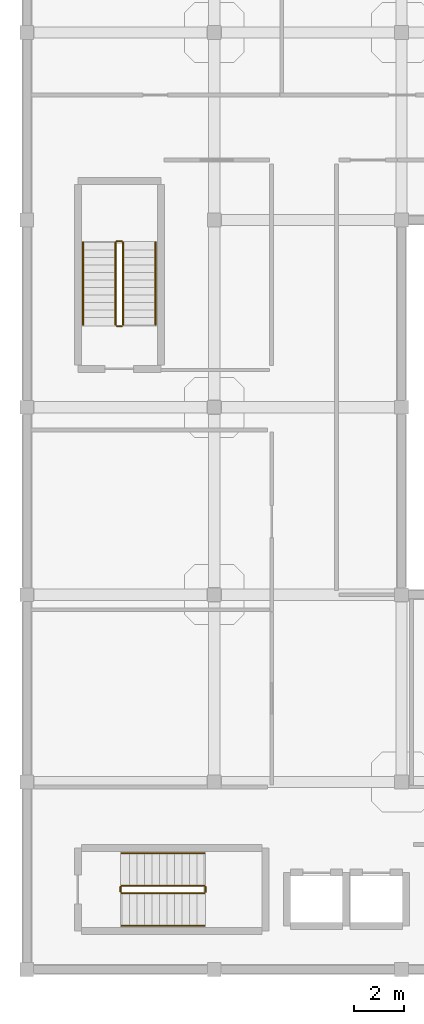
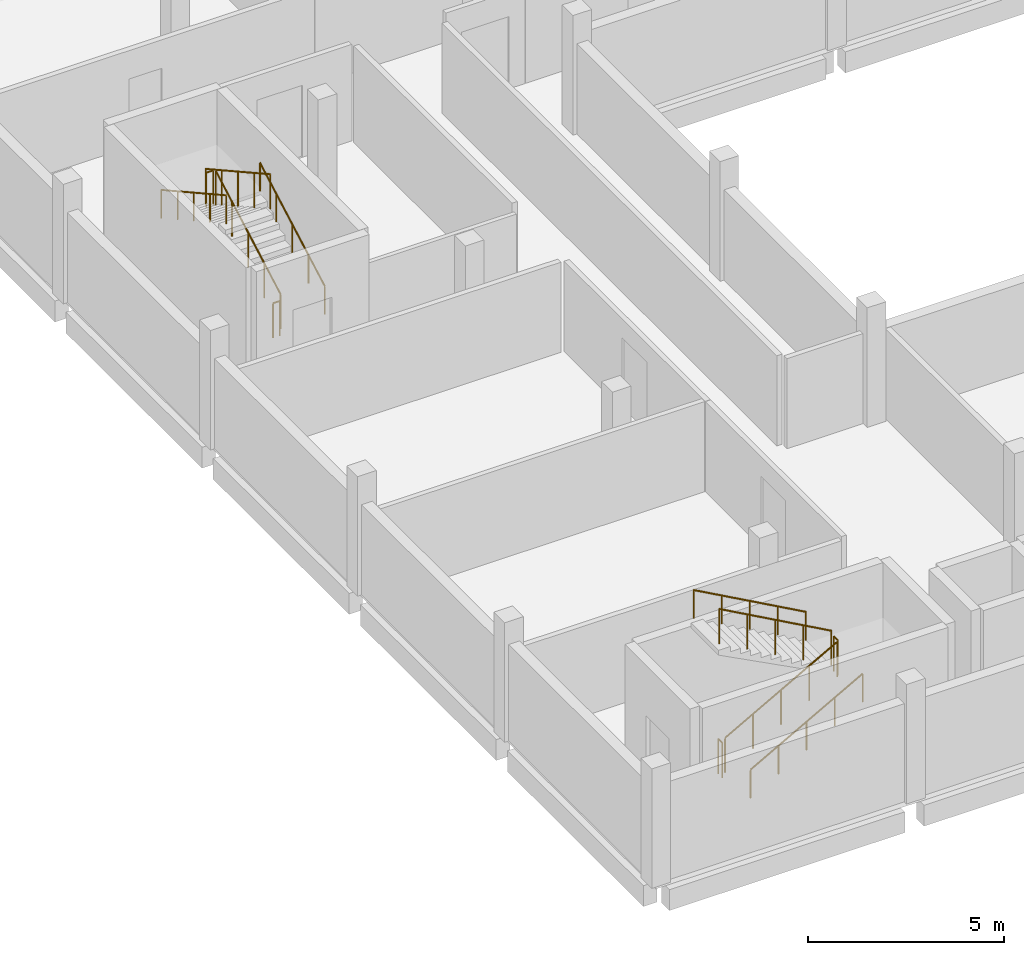
# One storey, part 12 of 14: 12 railings.
"""IFC4 building model written with IfcOpenShell, lengths in metres."""

import ifcopenshell
import ifcopenshell.guid

model = None  # the IFC model being written
_history = None  # IfcOwnerHistory: only IFC2X3 demands one
_inside = {}  # id of a spatial element -> (the spatial element, [elements in it])
_under = {}  # id of a project, library or spatial element -> (it, [spatial elements below it])
_declared = {}  # id of a project -> (the project, [libraries it declares])
_typed = {}  # id of a type object -> (the type object, [elements of that type])
_made_of = {}  # id of a material, layer set ... -> (it, [elements and type objects made of it])


def new_model(schema):
    """Start an empty IFC model of exactly this schema.

    Asked for "IFC4X3", IfcOpenShell would pick the latest addendum, in which some entities
    have other attributes; the version numbers below select the first issue.
    IFC2X3 requires an IfcOwnerHistory on every rooted entity: one is made here for all.
    """
    global model, _history
    if schema == "IFC4X3":
        model = ifcopenshell.file(schema_version=(4, 3, 0, 0))
    else:
        model = ifcopenshell.file(schema=schema)
    _inside.clear()
    _under.clear()
    _declared.clear()
    _typed.clear()
    _made_of.clear()
    _history = None
    if model.schema == "IFC2X3":
        org = make("IfcOrganization", Name="unknown")
        user = make(
            "IfcPersonAndOrganization",
            ThePerson=make("IfcPerson", FamilyName="unknown"),
            TheOrganization=org,
        )
        app = make(
            "IfcApplication",
            ApplicationDeveloper=org,
            Version="unknown",
            ApplicationFullName="unknown",
            ApplicationIdentifier="unknown",
        )
        _history = make(
            "IfcOwnerHistory",
            OwningUser=user,
            OwningApplication=app,
            ChangeAction="ADDED",
            CreationDate=0,
        )
    return model


def make(cls, **values):
    """One entity of the class cls with the attributes given. An attribute that is None is left unset."""
    return model.create_entity(
        cls, **{name: value for name, value in values.items() if value is not None}
    )


def rooted(cls, **values):
    """An entity with a GlobalId (a new one), such as an element, a storey or a relation."""
    return make(cls, GlobalId=ifcopenshell.guid.new(), OwnerHistory=_history, **values)


def si_unit(unit_type, name, prefix=None):
    """IfcSIUnit, for example si_unit("LENGTHUNIT", "METRE", prefix="MILLI")."""
    return make("IfcSIUnit", UnitType=unit_type, Prefix=prefix, Name=name)


def assignment(units):
    """IfcUnitAssignment: the units of a project."""
    return None if units is None else make("IfcUnitAssignment", Units=units)


def point(xyz):
    """IfcCartesianPoint."""
    return None if xyz is None else make("IfcCartesianPoint", Coordinates=xyz)


def direction(xyz):
    """IfcDirection."""
    return None if xyz is None else make("IfcDirection", DirectionRatios=xyz)


def frame(location, z_axis=None, x_axis=None):
    """IfcAxis2Placement3D, a coordinate frame: its origin and axes. An axis left out is left unset."""
    return make(
        "IfcAxis2Placement3D",
        Location=point(location),
        Axis=direction(z_axis),
        RefDirection=direction(x_axis),
    )


def frame_2d(location, x_axis=None):
    """IfcAxis2Placement2D, a coordinate frame in the plane: its origin and x axis."""
    return make(
        "IfcAxis2Placement2D", Location=point(location), RefDirection=direction(x_axis)
    )


def origin():
    """The frame at (0, 0, 0) with its axes left unset."""
    return frame((0.0, 0.0, 0.0))


def origin_2d():
    """The frame at (0, 0) in the plane with its x axis left unset."""
    return frame_2d((0.0, 0.0))


def place(relative_to, where):
    """IfcLocalPlacement: puts the frame where relative to a parent placement (None: the world)."""
    return make(
        "IfcLocalPlacement", PlacementRelTo=relative_to, RelativePlacement=where
    )


def context(
    kind, dimensions, precision=None, world=None, true_north=None, identifier=None
):
    """IfcGeometricRepresentationContext, for example the 3D "Model" context."""
    return make(
        "IfcGeometricRepresentationContext",
        ContextIdentifier=identifier,
        ContextType=kind,
        CoordinateSpaceDimension=dimensions,
        Precision=precision,
        WorldCoordinateSystem=world,
        TrueNorth=true_north,
    )


def subcontext(parent, identifier, kind, view, scale=None):
    """IfcGeometricRepresentationSubContext, for example "Body" below "Model"."""
    return make(
        "IfcGeometricRepresentationSubContext",
        ContextIdentifier=identifier,
        ContextType=kind,
        ParentContext=parent,
        TargetScale=scale,
        TargetView=view,
    )


def project(units=None, contexts=None):
    """IfcProject with its units and contexts."""
    return rooted(
        "IfcProject",
        Name="project",
        RepresentationContexts=contexts,
        UnitsInContext=assignment(units),
    )


def spatial(cls, under=None, at=None, **own):
    """A site, building, storey or space (cls), placed at a placement, below another one or the project."""
    s = rooted(cls, ObjectPlacement=at, **own)
    if under is not None:
        _under.setdefault(under.id(), (under, []))[1].append(s)
    return s


def profile(cls, at=None, kind="AREA", **sizes):
    """A parametric profile (cls). Its sizes go by their IFC names, for example OverallWidth=200.0."""
    return make(cls, ProfileType=kind, Position=at, **sizes)


def circle(**sizes):
    """IfcCircleProfileDef."""
    return profile("IfcCircleProfileDef", **sizes)


def extrude(swept, where, along, depth):
    """IfcExtrudedAreaSolid: the profile swept, set in the frame where, extruded along a direction by depth."""
    return make(
        "IfcExtrudedAreaSolid",
        SweptArea=swept,
        Position=where,
        ExtrudedDirection=direction(along),
        Depth=depth,
    )


def shape(context_of_items, identifier, shape_type, items):
    """IfcShapeRepresentation: the items that make up one representation, for example the "Body"."""
    return make(
        "IfcShapeRepresentation",
        ContextOfItems=context_of_items,
        RepresentationIdentifier=identifier,
        RepresentationType=shape_type,
        Items=items,
    )


def material(Name=None, Category=None):
    """IfcMaterial."""
    return make("IfcMaterial", Name=Name, Category=Category)


def made_of(thing, what):
    """Note that an element or type object is made of a material, layer set ...; save() writes the relation."""
    if what is not None:
        _made_of.setdefault(what.id(), (what, []))[1].append(thing)
    return thing


def type_object(cls, material=None, **own):
    """A type object (cls), such as IfcWallType, which elements share."""
    return made_of(rooted(cls, **own), material)


def element(
    cls,
    number,
    at=None,
    inside=None,
    cuts=None,
    type_object=None,
    material=None,
    context=None,
    identifier="Body",
    shape_type=None,
    held_by="IfcProductDefinitionShape",
    body=None,
    shapes=None,
    **own,
):
    """One element of the class cls, such as IfcWall. Its Tag is "e" and its number.

    at: its placement. inside: the storey or other place that contains it. cuts: it is an
    opening in that element (IfcRelVoidsElement). A single representation is given by context,
    identifier, shape_type and body (its items); several are given by shapes. held_by: the class
    of the entity that holds the representations. save() writes the other relations.
    """
    e = rooted(cls, Tag="e%d" % number, ObjectPlacement=at, **own)
    if body is not None:
        shapes = [shape(context, identifier, shape_type, body)]
    if shapes is not None:
        e.Representation = make(held_by, Representations=shapes)
    if inside is not None:
        _inside.setdefault(inside.id(), (inside, []))[1].append(e)
    if cuts is not None:
        rooted(
            "IfcRelVoidsElement", RelatingBuildingElement=cuts, RelatedOpeningElement=e
        )
    if type_object is not None:
        _typed.setdefault(type_object.id(), (type_object, []))[1].append(e)
    return made_of(e, material)


def aggregate(whole, parts):
    """IfcRelAggregates: a whole, such as a stair, and the parts it consists of."""
    return rooted("IfcRelAggregates", RelatingObject=whole, RelatedObjects=parts)


def save(model, path):
    """Write the relations noted so far, then the file.

    IfcRelAggregates (storeys below a building ...), IfcRelContainedInSpatialStructure (elements
    in a storey), IfcRelDefinesByType, IfcRelAssociatesMaterial and IfcRelDeclares: one each for
    every whole, place, type object, material and project.
    """
    for whole, parts in _under.values():
        aggregate(whole, parts)
    for where, things in _inside.values():
        rooted(
            "IfcRelContainedInSpatialStructure",
            RelatedElements=things,
            RelatingStructure=where,
        )
    for kind, things in _typed.values():
        rooted("IfcRelDefinesByType", RelatedObjects=things, RelatingType=kind)
    for what, things in _made_of.values():
        rooted("IfcRelAssociatesMaterial", RelatedObjects=things, RelatingMaterial=what)
    for by, libraries in _declared.values():
        rooted("IfcRelDeclares", RelatingContext=by, RelatedDefinitions=libraries)
    model.write(path)


model = new_model("IFC4")

# Units and contexts
model_context = context("Model", 3, precision=1e-05, world=origin(), true_north=direction((0.0, 1.0)))
body_context = subcontext(model_context, "Body", "Model", "MODEL_VIEW")
ifc_project = project(units=[si_unit("LENGTHUNIT", "METRE"), si_unit("AREAUNIT", "SQUARE_METRE"), si_unit("VOLUMEUNIT", "CUBIC_METRE"), si_unit("PLANEANGLEUNIT", "RADIAN"), si_unit("MASSUNIT", "GRAM", prefix="KILO")], contexts=[model_context])

# Site, building, storey
site_placement = place(None, origin())
site = spatial("IfcSite", under=ifc_project, at=site_placement, CompositionType="ELEMENT")
building_placement = place(site_placement, origin())
building = spatial("IfcBuilding", under=site, at=building_placement, Name="Mawjan Specialist Oncology Clinic", CompositionType="ELEMENT")
storey_placement = place(building_placement, frame((0.0, 0.0, 17.5)))
storey = spatial("IfcBuildingStorey", under=building, at=storey_placement, Name="L04", CompositionType="ELEMENT", Elevation=17.5)

# Railings
ifc_material_1 = material(Name="Powder-coated steel stair guard with vertical infill pickets", Category="steel")
railing_type_1 = type_object("IfcRailingType", Name="GR-110", PredefinedType="GUARDRAIL", material=ifc_material_1)
railing_1_placement = place(storey_placement, frame((3.800048828125, 3.85009765625, 0.166748046875)))
element("IfcRailing", 1, at=railing_1_placement, inside=storey, type_object=railing_type_1, Name="L04 ST-01 stair guard 1", PredefinedType="GUARDRAIL", context=body_context, shape_type="SweptSolid", body=[
    extrude(circle(Radius=0.02392578125, at=origin_2d()), frame((0.0, 0.0, 1.076171875), z_axis=(0.874169478083, 0.0, 0.485620966999), x_axis=(0.0, 1.0, 0.0)), (0.0, 0.0, 1.0), 3.775146484375),
    extrude(circle(Radius=0.02099609375, at=origin_2d()), origin(), (0.0, 0.0, 1.0), 1.052001953125),
    extrude(circle(Radius=0.02099609375, at=origin_2d()), frame((0.824951171875, 0.0, 0.458251953125)), (0.0, 0.0, 1.0), 1.052001953125),
    extrude(circle(Radius=0.02099609375, at=origin_2d()), frame((1.64990234375, 0.0, 0.91650390625)), (0.0, 0.0, 1.0), 1.052001953125),
    extrude(circle(Radius=0.02099609375, at=origin_2d()), frame((2.47509765625, 0.0, 1.375)), (0.0, 0.0, 1.0), 1.052001953125),
    extrude(circle(Radius=0.02099609375, at=origin_2d()), frame((3.300048828125, 0.0, 1.833251953125)), (0.0, 0.0, 1.0), 1.052001953125),
])
railing_2_placement = place(storey_placement, frame((7.14990234375, 3.89990234375, 2.0)))
element("IfcRailing", 2, at=railing_2_placement, inside=storey, type_object=railing_type_1, Name="L04 ST-01 stair guard 2", PredefinedType="GUARDRAIL", context=body_context, shape_type="SweptSolid", body=[
    extrude(circle(Radius=0.02392578125, at=origin_2d()), frame((0.0, 0.0, 1.076171875), z_axis=(0.0, 1.0, 0.0), x_axis=(-1.0, 0.0, 0.0)), (0.0, 0.0, 1.0), 0.2001953125),
    extrude(circle(Radius=0.02099609375, at=origin_2d()), origin(), (0.0, 0.0, 1.0), 1.052001953125),
    extrude(circle(Radius=0.02099609375, at=origin_2d()), frame((0.0, 0.2001953125, 0.0)), (0.0, 0.0, 1.0), 1.052001953125),
])
railing_3_placement = place(storey_placement, frame((7.10009765625, 4.14990234375, 2.166748046875)))
element("IfcRailing", 3, at=railing_3_placement, inside=storey, type_object=railing_type_1, Name="L04 ST-01 stair guard 3", PredefinedType="GUARDRAIL", context=body_context, shape_type="SweptSolid", body=[
    extrude(circle(Radius=0.02392578125, at=origin_2d()), frame((0.0, 0.0, 1.076171875), z_axis=(-0.874169478083, 0.0, 0.485620966999), x_axis=(0.0, -1.0, 0.0)), (0.0, 0.0, 1.0), 3.775146484375),
    extrude(circle(Radius=0.02099609375, at=origin_2d()), origin(), (0.0, 0.0, 1.0), 1.052001953125),
    extrude(circle(Radius=0.02099609375, at=origin_2d()), frame((-0.824951171875, 0.0, 0.458251953125)), (0.0, 0.0, 1.0), 1.052001953125),
    extrude(circle(Radius=0.02099609375, at=origin_2d()), frame((-1.64990234375, 0.0, 0.91650390625)), (0.0, 0.0, 1.0), 1.052001953125),
    extrude(circle(Radius=0.02099609375, at=origin_2d()), frame((-2.47509765625, 0.0, 1.375)), (0.0, 0.0, 1.0), 1.052001953125),
    extrude(circle(Radius=0.02099609375, at=origin_2d()), frame((-3.300048828125, 0.0, 1.833251953125)), (0.0, 0.0, 1.0), 1.052001953125),
])
railing_4_placement = place(storey_placement, frame((3.75, 3.89990234375, 0.0)))
element("IfcRailing", 4, at=railing_4_placement, inside=storey, type_object=railing_type_1, Name="L04 ST-01 stair guard 4", PredefinedType="GUARDRAIL", context=body_context, shape_type="SweptSolid", body=[
    extrude(circle(Radius=0.02392578125, at=origin_2d()), frame((0.0, 0.0, 1.076171875), z_axis=(0.0, 1.0, 0.0), x_axis=(-1.0, 0.0, 0.0)), (0.0, 0.0, 1.0), 0.2001953125),
    extrude(circle(Radius=0.02099609375, at=origin_2d()), origin(), (0.0, 0.0, 1.0), 1.052001953125),
    extrude(circle(Radius=0.02099609375, at=origin_2d()), frame((0.0, 0.2001953125, 0.0)), (0.0, 0.0, 1.0), 1.052001953125),
])
railing_5_placement = place(storey_placement, frame((3.85009765625, 26.60009765625, 0.166748046875)))
element("IfcRailing", 5, at=railing_5_placement, inside=storey, type_object=railing_type_1, Name="L04 ST-02 stair guard 1", PredefinedType="GUARDRAIL", context=body_context, shape_type="SweptSolid", body=[
    extrude(circle(Radius=0.02392578125, at=origin_2d()), frame((0.0, 0.0, 1.076171875), z_axis=(0.0, 0.874154225373, 0.485648422486), x_axis=(-1.0, 0.0, 0.0)), (0.0, 0.0, 1.0), 3.77490234375),
    extrude(circle(Radius=0.02099609375, at=origin_2d()), origin(), (0.0, 0.0, 1.0), 1.052001953125),
    extrude(circle(Radius=0.02099609375, at=origin_2d()), frame((0.0, 0.824951171875, 0.458251953125)), (0.0, 0.0, 1.0), 1.052001953125),
    extrude(circle(Radius=0.02099609375, at=origin_2d()), frame((0.0, 1.64990234375, 0.91650390625)), (0.0, 0.0, 1.0), 1.052001953125),
    extrude(circle(Radius=0.02099609375, at=origin_2d()), frame((0.0, 2.474853515625, 1.375)), (0.0, 0.0, 1.0), 1.052001953125),
    extrude(circle(Radius=0.02099609375, at=origin_2d()), frame((0.0, 3.2998046875, 1.833251953125)), (0.0, 0.0, 1.0), 1.052001953125),
])
railing_6_placement = place(storey_placement, frame((3.800048828125, 29.949951171875, 2.0)))
element("IfcRailing", 6, at=railing_6_placement, inside=storey, type_object=railing_type_1, Name="L04 ST-02 stair guard 2", PredefinedType="GUARDRAIL", context=body_context, shape_type="SweptSolid", body=[
    extrude(circle(Radius=0.02392578125, at=origin_2d()), frame((0.0, 0.0, 1.076171875), z_axis=(-1.0, 0.0, 0.0), x_axis=(0.0, -1.0, 0.0)), (0.0, 0.0, 1.0), 0.199951171875),
    extrude(circle(Radius=0.02099609375, at=origin_2d()), origin(), (0.0, 0.0, 1.0), 1.052001953125),
    extrude(circle(Radius=0.02099609375, at=origin_2d()), frame((-0.199951171875, 0.0, 0.0)), (0.0, 0.0, 1.0), 1.052001953125),
])
railing_7_placement = place(storey_placement, frame((3.550048828125, 29.89990234375, 2.166748046875)))
element("IfcRailing", 7, at=railing_7_placement, inside=storey, type_object=railing_type_1, Name="L04 ST-02 stair guard 3", PredefinedType="GUARDRAIL", context=body_context, shape_type="SweptSolid", body=[
    extrude(circle(Radius=0.02392578125, at=origin_2d()), frame((0.0, 0.0, 1.076171875), z_axis=(0.0, -0.874154225373, 0.485648422486), x_axis=(1.0, 0.0, 0.0)), (0.0, 0.0, 1.0), 3.77490234375),
    extrude(circle(Radius=0.02099609375, at=origin_2d()), origin(), (0.0, 0.0, 1.0), 1.052001953125),
    extrude(circle(Radius=0.02099609375, at=origin_2d()), frame((0.0, -0.824951171875, 0.458251953125)), (0.0, 0.0, 1.0), 1.052001953125),
    extrude(circle(Radius=0.02099609375, at=origin_2d()), frame((0.0, -1.64990234375, 0.91650390625)), (0.0, 0.0, 1.0), 1.052001953125),
    extrude(circle(Radius=0.02099609375, at=origin_2d()), frame((0.0, -2.474853515625, 1.375)), (0.0, 0.0, 1.0), 1.052001953125),
    extrude(circle(Radius=0.02099609375, at=origin_2d()), frame((0.0, -3.2998046875, 1.833251953125)), (0.0, 0.0, 1.0), 1.052001953125),
])
railing_8_placement = place(storey_placement, frame((3.800048828125, 26.550048828125, 0.0)))
element("IfcRailing", 8, at=railing_8_placement, inside=storey, type_object=railing_type_1, Name="L04 ST-02 stair guard 4", PredefinedType="GUARDRAIL", context=body_context, shape_type="SweptSolid", body=[
    extrude(circle(Radius=0.02392578125, at=origin_2d()), frame((0.0, 0.0, 1.076171875), z_axis=(-1.0, 0.0, 0.0), x_axis=(0.0, -1.0, 0.0)), (0.0, 0.0, 1.0), 0.199951171875),
    extrude(circle(Radius=0.02099609375, at=origin_2d()), origin(), (0.0, 0.0, 1.0), 1.052001953125),
    extrude(circle(Radius=0.02099609375, at=origin_2d()), frame((-0.199951171875, 0.0, 0.0)), (0.0, 0.0, 1.0), 1.052001953125),
])
ifc_material_2 = material(Name="Brushed stainless-steel tubular handrail", Category="steel")
railing_type_2 = type_object("IfcRailingType", Name="HR-090", PredefinedType="HANDRAIL", material=ifc_material_2)
railing_9_placement = place(storey_placement, frame((3.800048828125, 2.550048828125, 0.166748046875)))
element("IfcRailing", 9, at=railing_9_placement, inside=storey, type_object=railing_type_2, Name="L04 ST-01 stair handrail 1", PredefinedType="HANDRAIL", context=body_context, shape_type="SweptSolid", body=[
    extrude(circle(Radius=0.02392578125, at=origin_2d()), frame((0.0, 0.0, 0.8759765625), z_axis=(0.874169478083, 0.0, 0.485620966999), x_axis=(0.0, 1.0, 0.0)), (0.0, 0.0, 1.0), 3.775146484375),
    extrude(circle(Radius=0.02099609375, at=origin_2d()), origin(), (0.0, 0.0, 1.0), 0.851806640625),
    extrude(circle(Radius=0.02099609375, at=origin_2d()), frame((0.824951171875, 0.0, 0.458251953125)), (0.0, 0.0, 1.0), 0.851806640625),
    extrude(circle(Radius=0.02099609375, at=origin_2d()), frame((1.64990234375, 0.0, 0.91650390625)), (0.0, 0.0, 1.0), 0.851806640625),
    extrude(circle(Radius=0.02099609375, at=origin_2d()), frame((2.47509765625, 0.0, 1.375)), (0.0, 0.0, 1.0), 0.851806640625),
    extrude(circle(Radius=0.02099609375, at=origin_2d()), frame((3.300048828125, 0.0, 1.833251953125)), (0.0, 0.0, 1.0), 0.851806640625),
])
railing_10_placement = place(storey_placement, frame((7.10009765625, 5.449951171875, 2.166748046875)))
element("IfcRailing", 10, at=railing_10_placement, inside=storey, type_object=railing_type_2, Name="L04 ST-01 stair handrail 2", PredefinedType="HANDRAIL", context=body_context, shape_type="SweptSolid", body=[
    extrude(circle(Radius=0.02392578125, at=origin_2d()), frame((0.0, 0.0, 0.8759765625), z_axis=(-0.874169478083, 0.0, 0.485620966999), x_axis=(0.0, -1.0, 0.0)), (0.0, 0.0, 1.0), 3.775146484375),
    extrude(circle(Radius=0.02099609375, at=origin_2d()), origin(), (0.0, 0.0, 1.0), 0.851806640625),
    extrude(circle(Radius=0.02099609375, at=origin_2d()), frame((-0.824951171875, 0.0, 0.458251953125)), (0.0, 0.0, 1.0), 0.851806640625),
    extrude(circle(Radius=0.02099609375, at=origin_2d()), frame((-1.64990234375, 0.0, 0.91650390625)), (0.0, 0.0, 1.0), 0.851806640625),
    extrude(circle(Radius=0.02099609375, at=origin_2d()), frame((-2.47509765625, 0.0, 1.375)), (0.0, 0.0, 1.0), 0.851806640625),
    extrude(circle(Radius=0.02099609375, at=origin_2d()), frame((-3.300048828125, 0.0, 1.833251953125)), (0.0, 0.0, 1.0), 0.851806640625),
])
railing_11_placement = place(storey_placement, frame((5.14990234375, 26.60009765625, 0.166748046875)))
element("IfcRailing", 11, at=railing_11_placement, inside=storey, type_object=railing_type_2, Name="L04 ST-02 stair handrail 1", PredefinedType="HANDRAIL", context=body_context, shape_type="SweptSolid", body=[
    extrude(circle(Radius=0.02392578125, at=origin_2d()), frame((0.0, 0.0, 0.8759765625), z_axis=(0.0, 0.874154225373, 0.485648422486), x_axis=(-1.0, 0.0, 0.0)), (0.0, 0.0, 1.0), 3.77490234375),
    extrude(circle(Radius=0.02099609375, at=origin_2d()), origin(), (0.0, 0.0, 1.0), 0.851806640625),
    extrude(circle(Radius=0.02099609375, at=origin_2d()), frame((0.0, 0.824951171875, 0.458251953125)), (0.0, 0.0, 1.0), 0.851806640625),
    extrude(circle(Radius=0.02099609375, at=origin_2d()), frame((0.0, 1.64990234375, 0.91650390625)), (0.0, 0.0, 1.0), 0.851806640625),
    extrude(circle(Radius=0.02099609375, at=origin_2d()), frame((0.0, 2.474853515625, 1.375)), (0.0, 0.0, 1.0), 0.851806640625),
    extrude(circle(Radius=0.02099609375, at=origin_2d()), frame((0.0, 3.2998046875, 1.833251953125)), (0.0, 0.0, 1.0), 0.851806640625),
])
railing_12_placement = place(storey_placement, frame((2.25, 29.89990234375, 2.166748046875)))
element("IfcRailing", 12, at=railing_12_placement, inside=storey, type_object=railing_type_2, Name="L04 ST-02 stair handrail 2", PredefinedType="HANDRAIL", context=body_context, shape_type="SweptSolid", body=[
    extrude(circle(Radius=0.02392578125, at=origin_2d()), frame((0.0, 0.0, 0.8759765625), z_axis=(0.0, -0.874154225373, 0.485648422486), x_axis=(1.0, 0.0, 0.0)), (0.0, 0.0, 1.0), 3.77490234375),
    extrude(circle(Radius=0.02099609375, at=origin_2d()), origin(), (0.0, 0.0, 1.0), 0.851806640625),
    extrude(circle(Radius=0.02099609375, at=origin_2d()), frame((0.0, -0.824951171875, 0.458251953125)), (0.0, 0.0, 1.0), 0.851806640625),
    extrude(circle(Radius=0.02099609375, at=origin_2d()), frame((0.0, -1.64990234375, 0.91650390625)), (0.0, 0.0, 1.0), 0.851806640625),
    extrude(circle(Radius=0.02099609375, at=origin_2d()), frame((0.0, -2.474853515625, 1.375)), (0.0, 0.0, 1.0), 0.851806640625),
    extrude(circle(Radius=0.02099609375, at=origin_2d()), frame((0.0, -3.2998046875, 1.833251953125)), (0.0, 0.0, 1.0), 0.851806640625),
])

save(model, "model.ifc")
